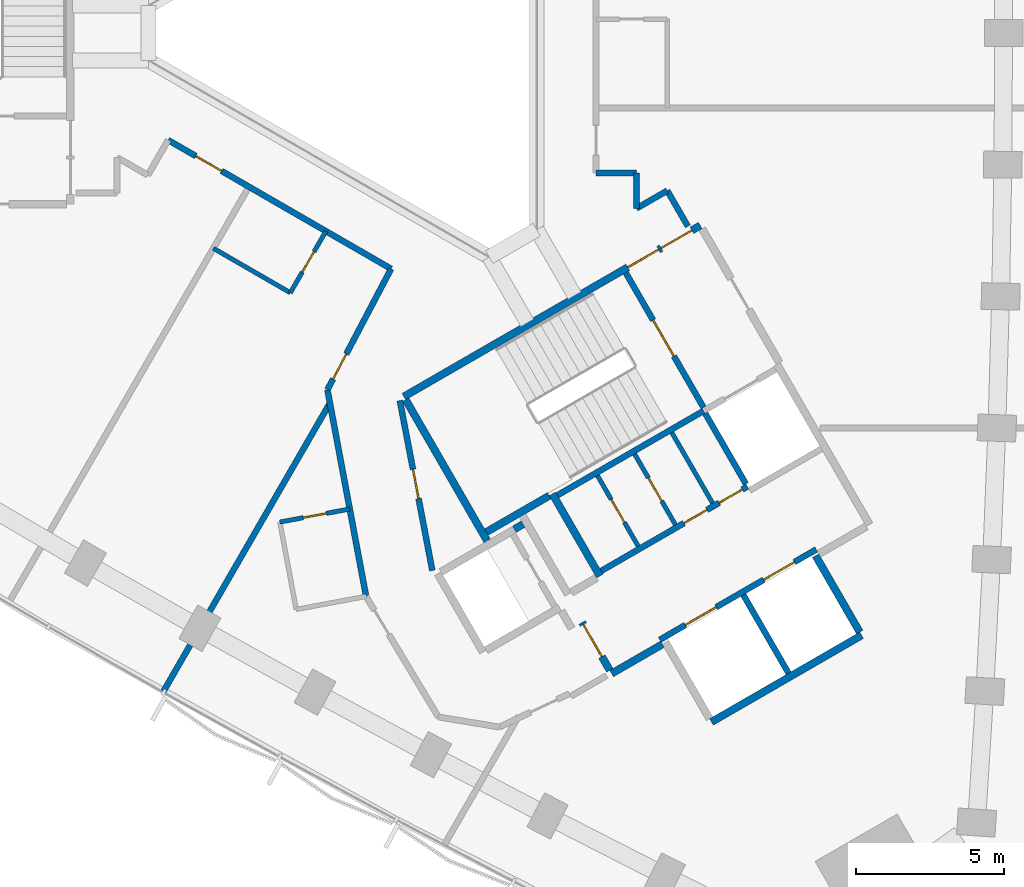
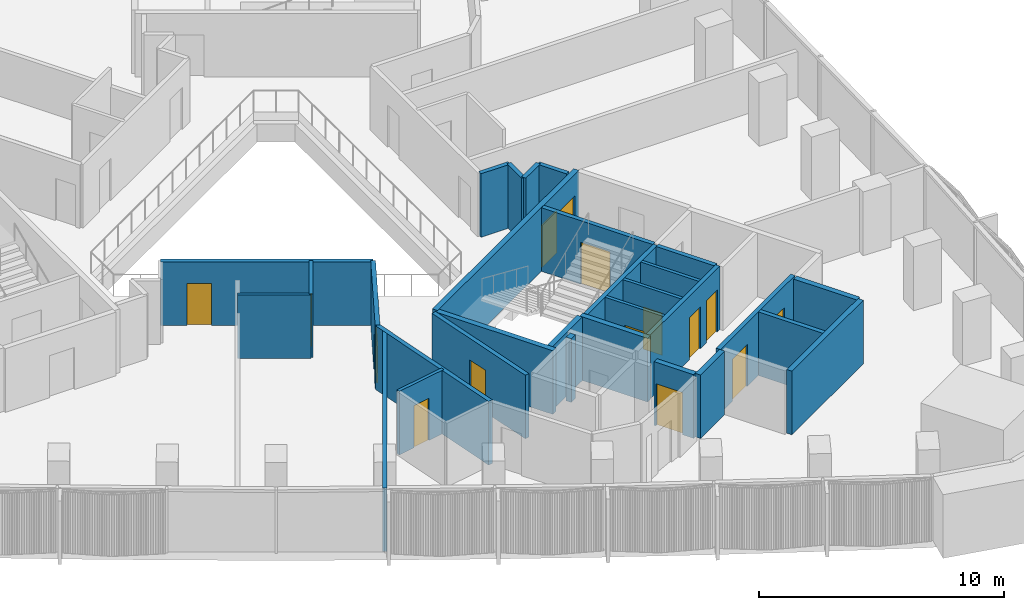
# One storey, part 8 of 15: 30 walls, 15 doors, 15 openings.
"""IFC4 building model written with IfcOpenShell, lengths in metres."""

from ifc_helpers import new_model, si_unit, direction, frame, frame_2d, origin, place, context, subcontext, project, spatial, rectangle, extrude, material, layer, layer_set, type_object, element, fill, save


model = new_model("IFC4")

# Units and contexts
model_context = context("Model", 3, precision=1e-05, world=origin(), true_north=direction((0.0, 1.0)))
body_context = subcontext(model_context, "Body", "Model", "MODEL_VIEW")
ifc_project = project(units=[si_unit("LENGTHUNIT", "METRE"), si_unit("AREAUNIT", "SQUARE_METRE"), si_unit("VOLUMEUNIT", "CUBIC_METRE"), si_unit("PLANEANGLEUNIT", "RADIAN"), si_unit("MASSUNIT", "GRAM", prefix="KILO")], contexts=[model_context])

# Site, building, storey
site_placement = place(None, origin())
site = spatial("IfcSite", under=ifc_project, at=site_placement, CompositionType="ELEMENT")
building_placement = place(site_placement, origin())
building = spatial("IfcBuilding", under=site, at=building_placement, Name="Tamra Quay Hotel Tower", CompositionType="ELEMENT")
storey_placement = place(building_placement, frame((0.0, 0.0, 97.39990234375)))
storey = spatial("IfcBuildingStorey", under=building, at=storey_placement, Name="L23", CompositionType="ELEMENT", Elevation=97.39990234375)

# Wall, openings, doors
ifc_material_1 = material(Name="Concrete M70", Category="concrete")
ifc_layer_1 = layer(ifc_material_1, 0.199951171875)
ifc_layer_set_1 = layer_set([ifc_layer_1], Name="Concrete M70 core wall 200")
wall_type_1 = type_object("IfcWallType", Name="Concrete M70 core wall 200", PredefinedType="SHEAR", material=ifc_layer_set_1)
wall_1_placement = place(storey_placement, frame((9.052490234375, -20.479736328125, 0.0), z_axis=(0.0, 0.0, 1.0), x_axis=(0.866030299012, 0.499991521122, 0.0)))
wall_1 = element("IfcWall", 1, at=wall_1_placement, inside=storey, type_object=wall_type_1, Name="CW2", PredefinedType="SHEAR", context=body_context, shape_type="SweptSolid", body=[
    extrude(rectangle(XDim=6.10009765625, YDim=0.199951171875, at=frame_2d((3.050048828125, 0.0))), origin(), (0.0, 0.0, 1.0), 3.175048828125),
])
opening_1_placement = place(wall_1_placement, frame((1.0, 0.0, 0.0)))
opening_1 = element("IfcOpeningElement", 2, at=opening_1_placement, cuts=wall_1, Name="Opening LD", PredefinedType="OPENING", context=body_context, shape_type="SweptSolid", body=[
    extrude(rectangle(XDim=1.199951171875, YDim=2.10009765625, at=frame_2d((0.60009765625, 1.050048828125))), frame((0.0, 0.10986328125, 0.0), z_axis=(0.0, -1.0, 0.0), x_axis=(1.0, 0.0, 0.0)), (0.0, 0.0, 1.0), 0.219970703125),
])
opening_2_placement = place(wall_1_placement, frame((4.05029296875, 0.0, 0.0)))
opening_2 = element("IfcOpeningElement", 3, at=opening_2_placement, cuts=wall_1, Name="Opening LD", PredefinedType="OPENING", context=body_context, shape_type="SweptSolid", body=[
    extrude(rectangle(XDim=1.199951171875, YDim=2.10009765625, at=frame_2d((0.60009765625, 1.050048828125))), frame((0.0, 0.10986328125, 0.0), z_axis=(0.0, -1.0, 0.0), x_axis=(1.0, 0.0, 0.0)), (0.0, 0.0, 1.0), 0.219970703125),
])
ifc_material_2 = material(Name="Landing door LD 1200 double door sliding")
door_type_1 = type_object("IfcDoorType", Name="Landing door LD 1200 double door sliding", OperationType="DOUBLE_DOOR_SLIDING", PredefinedType="DOOR", material=ifc_material_2)
door_1_placement = place(opening_1_placement, origin())
door_1 = element("IfcDoor", 4, at=door_1_placement, inside=storey, type_object=door_type_1, Name="LD", OperationType="DOUBLE_DOOR_SLIDING", OverallHeight=2.10009765625, OverallWidth=1.199951171875, PredefinedType="DOOR", context=body_context, shape_type="SweptSolid", body=[
    extrude(rectangle(XDim=1.199951171875, YDim=2.10009765625, at=frame_2d((0.60009765625, 1.050048828125))), frame((0.0, 0.02490234375, 0.0), z_axis=(0.0, -1.0, 0.0), x_axis=(1.0, 0.0, 0.0)), (0.0, 0.0, 1.0), 0.050048828125),
])
fill(opening_1, door_1)
door_2_placement = place(opening_2_placement, origin())
door_2 = element("IfcDoor", 5, at=door_2_placement, inside=storey, type_object=door_type_1, Name="LD", OperationType="DOUBLE_DOOR_SLIDING", OverallHeight=2.10009765625, OverallWidth=1.199951171875, PredefinedType="DOOR", context=body_context, shape_type="SweptSolid", body=[
    extrude(rectangle(XDim=1.199951171875, YDim=2.10009765625, at=frame_2d((0.60009765625, 1.050048828125))), frame((0.0, 0.02490234375, 0.0), z_axis=(0.0, -1.0, 0.0), x_axis=(1.0, 0.0, 0.0)), (0.0, 0.0, 1.0), 0.050048828125),
])
fill(opening_2, door_2)

# Wall
wall_2_placement = place(storey_placement, frame((10.537841796875, -12.751953125, 0.0), z_axis=(0.0, 0.0, 1.0), x_axis=(-0.866038630372, -0.499977090179, 0.0)))
element("IfcWall", 6, at=wall_2_placement, inside=storey, type_object=wall_type_1, Name="CW2", PredefinedType="SHEAR", context=body_context, shape_type="SweptSolid", body=[
    extrude(rectangle(XDim=5.698974609375, YDim=0.199951171875, at=frame_2d((2.849609375, 0.0))), origin(), (0.0, 0.0, 1.0), 3.175048828125),
])

# Wall, openings, doors
wall_3_placement = place(storey_placement, frame((7.0771484375, -18.156005859375, 0.0), z_axis=(0.0, 0.0, 1.0), x_axis=(0.866038630372, 0.499977090179, 0.0)))
wall_3 = element("IfcWall", 7, at=wall_3_placement, inside=storey, type_object=wall_type_1, Name="CW2", PredefinedType="SHEAR", context=body_context, shape_type="SweptSolid", body=[
    extrude(rectangle(XDim=5.698974609375, YDim=0.199951171875, at=frame_2d((2.849609375, 0.0))), origin(), (0.0, 0.0, 1.0), 3.175048828125),
])
opening_3_placement = place(wall_3_placement, frame((3.22412109375, 0.0, 0.0)))
opening_3 = element("IfcOpeningElement", 8, at=opening_3_placement, cuts=wall_3, Name="Opening D2", PredefinedType="OPENING", context=body_context, shape_type="SweptSolid", body=[
    extrude(rectangle(XDim=0.89990234375, YDim=2.10009765625, at=frame_2d((0.449951171875, 1.050048828125))), frame((0.0, 0.10986328125, 0.0), z_axis=(0.0, -1.0, 0.0), x_axis=(1.0, 0.0, 0.0)), (0.0, 0.0, 1.0), 0.219970703125),
])
opening_4_placement = place(wall_3_placement, frame((4.59912109375, 0.0, 0.0)))
opening_4 = element("IfcOpeningElement", 9, at=opening_4_placement, cuts=wall_3, Name="Opening D2", PredefinedType="OPENING", context=body_context, shape_type="SweptSolid", body=[
    extrude(rectangle(XDim=0.89990234375, YDim=2.10009765625, at=frame_2d((0.449951171875, 1.050048828125))), frame((0.0, 0.10986328125, 0.0), z_axis=(0.0, -1.0, 0.0), x_axis=(1.0, 0.0, 0.0)), (0.0, 0.0, 1.0), 0.219970703125),
])
ifc_material_3 = material(Name="Core door D2 900x2100 LH")
door_type_2 = type_object("IfcDoorType", Name="Core door D2 900x2100 LH", OperationType="NOTDEFINED", PredefinedType="DOOR", material=ifc_material_3)
door_3_placement = place(opening_4_placement, origin())
door_3 = element("IfcDoor", 10, at=door_3_placement, inside=storey, type_object=door_type_2, Name="D2", OperationType="SINGLE_SWING_LEFT", OverallHeight=2.10009765625, OverallWidth=0.89990234375, PredefinedType="DOOR", context=body_context, shape_type="SweptSolid", body=[
    extrude(rectangle(XDim=0.89990234375, YDim=2.10009765625, at=frame_2d((0.449951171875, 1.050048828125))), frame((0.0, 0.02490234375, 0.0), z_axis=(0.0, -1.0, 0.0), x_axis=(1.0, 0.0, 0.0)), (0.0, 0.0, 1.0), 0.050048828125),
])
fill(opening_4, door_3)
ifc_material_4 = material(Name="Core door D2 900x2100 RH")
door_type_3 = type_object("IfcDoorType", Name="Core door D2 900x2100 RH", OperationType="NOTDEFINED", PredefinedType="DOOR", material=ifc_material_4)
door_4_placement = place(opening_3_placement, origin())
door_4 = element("IfcDoor", 11, at=door_4_placement, inside=storey, type_object=door_type_3, Name="D2", OperationType="SINGLE_SWING_RIGHT", OverallHeight=2.10009765625, OverallWidth=0.89990234375, PredefinedType="DOOR", context=body_context, shape_type="SweptSolid", body=[
    extrude(rectangle(XDim=0.89990234375, YDim=2.10009765625, at=frame_2d((0.449951171875, 1.050048828125))), frame((0.0, 0.02490234375, 0.0), z_axis=(0.0, -1.0, 0.0), x_axis=(1.0, 0.0, 0.0)), (0.0, 0.0, 1.0), 0.050048828125),
])
fill(opening_3, door_4)

# Wall, opening, door
wall_4_placement = place(storey_placement, frame((7.906494140625, -8.094482421875, 0.0), z_axis=(0.0, 0.0, 1.0), x_axis=(0.500024287448, -0.866011380966, 0.0)))
wall_4 = element("IfcWall", 12, at=wall_4_placement, inside=storey, type_object=wall_type_1, Name="CW2", PredefinedType="SHEAR", context=body_context, shape_type="SweptSolid", body=[
    extrude(rectangle(XDim=5.251220703125, YDim=0.199951171875, at=frame_2d((2.62548828125, 0.0))), origin(), (0.0, 0.0, 1.0), 3.175048828125),
])
opening_5_placement = place(wall_4_placement, frame((1.84912109375, 0.0, 0.0)))
opening_5 = element("IfcOpeningElement", 13, at=opening_5_placement, cuts=wall_4, Name="Opening FD2", PredefinedType="OPENING", context=body_context, shape_type="SweptSolid", body=[
    extrude(rectangle(XDim=1.39990234375, YDim=2.10009765625, at=frame_2d((0.699951171875, 1.050048828125))), frame((0.0, 0.10986328125, 0.0), z_axis=(0.0, -1.0, 0.0), x_axis=(1.0, 0.0, 0.0)), (0.0, 0.0, 1.0), 0.219970703125),
])
ifc_material_5 = material(Name="Core door FD2 1400x2100 LH")
door_type_4 = type_object("IfcDoorType", Name="Core door FD2 1400x2100 LH", OperationType="NOTDEFINED", PredefinedType="DOOR", material=ifc_material_5)
door_5_placement = place(opening_5_placement, origin())
door_5 = element("IfcDoor", 14, at=door_5_placement, inside=storey, type_object=door_type_4, Name="FD2", OperationType="SINGLE_SWING_LEFT", OverallHeight=2.10009765625, OverallWidth=1.39990234375, PredefinedType="DOOR", context=body_context, shape_type="SweptSolid", body=[
    extrude(rectangle(XDim=1.39990234375, YDim=2.10009765625, at=frame_2d((0.699951171875, 1.050048828125))), frame((0.0, 0.02490234375, 0.0), z_axis=(0.0, -1.0, 0.0), x_axis=(1.0, 0.0, 0.0)), (0.0, 0.0, 1.0), 0.050048828125),
])
fill(opening_5, door_5)

# Walls
wall_5_placement = place(storey_placement, frame((11.87451171875, -18.967041015625, 0.0), z_axis=(0.0, 0.0, 1.0), x_axis=(0.49998131003, -0.866036194175, 0.0)))
element("IfcWall", 15, at=wall_5_placement, inside=storey, type_object=wall_type_1, Name="CW2", PredefinedType="SHEAR", context=body_context, shape_type="SweptSolid", body=[
    extrude(rectangle(XDim=3.0478515625, YDim=0.199951171875, at=frame_2d((1.52392578125, 0.0))), origin(), (0.0, 0.0, 1.0), 3.175048828125),
])
wall_6_placement = place(storey_placement, frame((11.962646484375, -15.219970703125, 0.0), z_axis=(0.0, 0.0, 1.0), x_axis=(-0.500034990121, 0.866005201286, 0.0)))
element("IfcWall", 16, at=wall_6_placement, inside=storey, type_object=wall_type_1, Name="CW2", PredefinedType="SHEAR", context=body_context, shape_type="SweptSolid", body=[
    extrude(rectangle(XDim=2.749755859375, YDim=0.199951171875, at=frame_2d((1.375, 0.0))), origin(), (0.0, 0.0, 1.0), 3.175048828125),
])

# Wall, openings, doors
ifc_layer_2 = layer(ifc_material_1, 0.25)
ifc_layer_set_2 = layer_set([ifc_layer_2], Name="Concrete M70 core wall 250")
wall_type_2 = type_object("IfcWallType", Name="Concrete M70 core wall 250", PredefinedType="SHEAR", material=ifc_layer_set_2)
wall_7_placement = place(storey_placement, frame((0.417236328125, -12.27294921875, 0.0), z_axis=(0.0, 0.0, 1.0), x_axis=(0.866021906294, 0.500006057782, 0.0)))
wall_7 = element("IfcWall", 17, at=wall_7_placement, inside=storey, type_object=wall_type_2, Name="CW1", PredefinedType="SHEAR", context=body_context, shape_type="SweptSolid", body=[
    extrude(rectangle(XDim=11.550048828125, YDim=0.25, at=frame_2d((5.77490234375, 0.0))), origin(), (0.0, 0.0, 1.0), 3.175048828125),
])
opening_6_placement = place(wall_7_placement, frame((10.024658203125, 0.0, 0.0)))
opening_6 = element("IfcOpeningElement", 18, at=opening_6_placement, cuts=wall_7, Name="Opening FD1", PredefinedType="OPENING", context=body_context, shape_type="SweptSolid", body=[
    extrude(rectangle(XDim=1.199951171875, YDim=2.10009765625, at=frame_2d((0.60009765625, 1.050048828125))), frame((0.0, 0.135009765625, 0.0), z_axis=(0.0, -1.0, 0.0), x_axis=(1.0, 0.0, 0.0)), (0.0, 0.0, 1.0), 0.27001953125),
])
opening_7_placement = place(wall_7_placement, frame((8.724609375, 0.0, 0.0)))
opening_7 = element("IfcOpeningElement", 19, at=opening_7_placement, cuts=wall_7, Name="Opening FD1", PredefinedType="OPENING", context=body_context, shape_type="SweptSolid", body=[
    extrude(rectangle(XDim=1.199951171875, YDim=2.10009765625, at=frame_2d((0.60009765625, 1.050048828125))), frame((0.0, 0.135009765625, 0.0), z_axis=(0.0, -1.0, 0.0), x_axis=(1.0, 0.0, 0.0)), (0.0, 0.0, 1.0), 0.27001953125),
])
ifc_material_6 = material(Name="Core door FD1 1200x2100 LH")
door_type_5 = type_object("IfcDoorType", Name="Core door FD1 1200x2100 LH", OperationType="NOTDEFINED", PredefinedType="DOOR", material=ifc_material_6)
door_6_placement = place(opening_6_placement, origin())
door_6 = element("IfcDoor", 20, at=door_6_placement, inside=storey, type_object=door_type_5, Name="FD1", OperationType="SINGLE_SWING_LEFT", OverallHeight=2.10009765625, OverallWidth=1.199951171875, PredefinedType="DOOR", context=body_context, shape_type="SweptSolid", body=[
    extrude(rectangle(XDim=1.199951171875, YDim=2.10009765625, at=frame_2d((0.60009765625, 1.050048828125))), frame((0.0, 0.02490234375, 0.0), z_axis=(0.0, -1.0, 0.0), x_axis=(1.0, 0.0, 0.0)), (0.0, 0.0, 1.0), 0.050048828125),
])
fill(opening_6, door_6)
ifc_material_7 = material(Name="Core door FD1 1200x2100 RH")
door_type_6 = type_object("IfcDoorType", Name="Core door FD1 1200x2100 RH", OperationType="NOTDEFINED", PredefinedType="DOOR", material=ifc_material_7)
door_7_placement = place(opening_7_placement, origin())
door_7 = element("IfcDoor", 21, at=door_7_placement, inside=storey, type_object=door_type_6, Name="FD1", OperationType="SINGLE_SWING_RIGHT", OverallHeight=2.10009765625, OverallWidth=1.199951171875, PredefinedType="DOOR", context=body_context, shape_type="SweptSolid", body=[
    extrude(rectangle(XDim=1.199951171875, YDim=2.10009765625, at=frame_2d((0.60009765625, 1.050048828125))), frame((0.0, 0.02490234375, 0.0), z_axis=(0.0, -1.0, 0.0), x_axis=(1.0, 0.0, 0.0)), (0.0, 0.0, 1.0), 0.050048828125),
])
fill(opening_7, door_7)

# Walls
wall_8_placement = place(storey_placement, frame((15.86474609375, -20.328369140625, 0.0), z_axis=(0.0, 0.0, 1.0), x_axis=(-0.86602852612, -0.499994591916, 0.0)))
element("IfcWall", 22, at=wall_8_placement, inside=storey, type_object=wall_type_2, Name="CW1", PredefinedType="SHEAR", context=body_context, shape_type="SweptSolid", body=[
    extrude(rectangle(XDim=5.85009765625, YDim=0.25, at=frame_2d((2.925048828125, 0.0))), origin(), (0.0, 0.0, 1.0), 3.175048828125),
])
wall_9_placement = place(storey_placement, frame((3.23486328125, -17.15283203125, 0.0), z_axis=(0.0, 0.0, 1.0), x_axis=(-0.500008851346, 0.866020293397, 0.0)))
element("IfcWall", 23, at=wall_9_placement, inside=storey, type_object=wall_type_2, Name="CW1", PredefinedType="SHEAR", context=body_context, shape_type="SweptSolid", body=[
    extrude(rectangle(XDim=5.509765625, YDim=0.25, at=frame_2d((2.7548828125, 0.0))), origin(), (0.0, 0.0, 1.0), 3.175048828125),
])
wall_10_placement = place(storey_placement, frame((7.030517578125, -18.327392578125, 0.0), z_axis=(0.0, 0.0, 1.0), x_axis=(-0.499971222258, 0.866042017984, 0.0)))
element("IfcWall", 24, at=wall_10_placement, inside=storey, type_object=wall_type_2, Name="CW1", PredefinedType="SHEAR", context=body_context, shape_type="SweptSolid", body=[
    extrude(rectangle(XDim=3.199951171875, YDim=0.25, at=frame_2d((1.60009765625, 0.0))), origin(), (0.0, 0.0, 1.0), 3.175048828125),
])
wall_11_placement = place(storey_placement, frame((14.314697265625, -17.643798828125, 0.0), z_axis=(0.0, 0.0, 1.0), x_axis=(0.500023226632, -0.866011993467, 0.0)))
element("IfcWall", 25, at=wall_11_placement, inside=storey, type_object=wall_type_2, Name="CW1", PredefinedType="SHEAR", context=body_context, shape_type="SweptSolid", body=[
    extrude(rectangle(XDim=2.974365234375, YDim=0.25, at=frame_2d((1.4873046875, 0.0))), origin(), (0.0, 0.0, 1.0), 3.175048828125),
])
wall_12_placement = place(storey_placement, frame((5.322021484375, -15.618896484375, 0.0), z_axis=(0.0, 0.0, 1.0), x_axis=(-0.866026229868, -0.499998569178, 0.0)))
element("IfcWall", 26, at=wall_12_placement, inside=storey, type_object=wall_type_2, Name="CW1", PredefinedType="SHEAR", context=body_context, shape_type="SweptSolid", body=[
    extrude(rectangle(XDim=2.44921875, YDim=0.25, at=frame_2d((1.224609375, 0.0))), origin(), (0.0, 0.0, 1.0), 3.175048828125),
])
wall_13_placement = place(storey_placement, frame((9.139892578125, -20.63134765625, 0.0), z_axis=(0.0, 0.0, 1.0), x_axis=(-0.866043531843, -0.499968599967, 0.0)))
element("IfcWall", 27, at=wall_13_placement, inside=storey, type_object=wall_type_2, Name="CW1", PredefinedType="SHEAR", context=body_context, shape_type="SweptSolid", body=[
    extrude(rectangle(XDim=1.974853515625, YDim=0.25, at=frame_2d((0.9873046875, 0.0))), origin(), (0.0, 0.0, 1.0), 3.175048828125),
])

# Wall, opening, door
wall_14_placement = place(storey_placement, frame((7.3671875, -21.51025390625, 0.0), z_axis=(0.0, 0.0, 1.0), x_axis=(-0.499983108224, 0.866035156036, 0.0)))
wall_14 = element("IfcWall", 28, at=wall_14_placement, inside=storey, type_object=wall_type_2, Name="CW1", PredefinedType="SHEAR", context=body_context, shape_type="SweptSolid", body=[
    extrude(rectangle(XDim=1.86474609375, YDim=0.25, at=frame_2d((0.932373046875, 0.0))), origin(), (0.0, 0.0, 1.0), 3.175048828125),
])
opening_8_placement = place(wall_14_placement, frame((0.53466796875, 0.0, 0.0)))
opening_8 = element("IfcOpeningElement", 29, at=opening_8_placement, cuts=wall_14, Name="Opening FD3", PredefinedType="OPENING", context=body_context, shape_type="SweptSolid", body=[
    extrude(rectangle(XDim=1.25, YDim=2.10009765625, at=frame_2d((0.625, 1.050048828125))), frame((0.0, 0.135009765625, 0.0), z_axis=(0.0, -1.0, 0.0), x_axis=(1.0, 0.0, 0.0)), (0.0, 0.0, 1.0), 0.27001953125),
])
ifc_material_8 = material(Name="Core door FD3 1250x2100 LH")
door_type_7 = type_object("IfcDoorType", Name="Core door FD3 1250x2100 LH", OperationType="NOTDEFINED", PredefinedType="DOOR", material=ifc_material_8)
door_8_placement = place(opening_8_placement, origin())
door_8 = element("IfcDoor", 30, at=door_8_placement, inside=storey, type_object=door_type_7, Name="FD3", OperationType="SINGLE_SWING_LEFT", OverallHeight=2.10009765625, OverallWidth=1.25, PredefinedType="DOOR", context=body_context, shape_type="SweptSolid", body=[
    extrude(rectangle(XDim=1.25, YDim=2.10009765625, at=frame_2d((0.625, 1.050048828125))), frame((0.0, 0.02490234375, 0.0), z_axis=(0.0, -1.0, 0.0), x_axis=(1.0, 0.0, 0.0)), (0.0, 0.0, 1.0), 0.050048828125),
])
fill(opening_8, door_8)

# Wall
wall_15_placement = place(storey_placement, frame((4.144775390625, -16.748779296875, 0.0), z_axis=(0.0, 0.0, 1.0), x_axis=(0.866185586049, 0.49972245349, 0.0)))
element("IfcWall", 31, at=wall_15_placement, inside=storey, type_object=wall_type_2, Name="CW1", PredefinedType="SHEAR", context=body_context, shape_type="SweptSolid", body=[
    extrude(rectangle(XDim=0.344482421875, YDim=0.25, at=frame_2d((0.17236328125, 0.0))), origin(), (0.0, 0.0, 1.0), 3.175048828125),
])

# Wall, opening, door
ifc_material_9 = material(Name="Blockwork", Category="masonry")
ifc_layer_3 = layer(ifc_material_9, 0.14990234375)
ifc_layer_set_3 = layer_set([ifc_layer_3], Name="Core partition block 150")
wall_type_3 = type_object("IfcWallType", Name="Core partition block 150", PredefinedType="PARTITIONING", material=ifc_layer_set_3)
wall_16_placement = place(storey_placement, frame((8.20654296875, -14.214111328125, 0.0), z_axis=(0.0, 0.0, 1.0), x_axis=(0.50002746344, -0.86600954718, 0.0)))
wall_16 = element("IfcWall", 32, at=wall_16_placement, inside=storey, type_object=wall_type_3, Name="CP1", PredefinedType="PARTITIONING", context=body_context, shape_type="SweptSolid", body=[
    extrude(rectangle(XDim=2.748291015625, YDim=0.14990234375, at=frame_2d((1.3740234375, 0.0))), origin(), (0.0, 0.0, 1.0), 3.175048828125),
])
opening_9_placement = place(wall_16_placement, frame((0.92431640625, 0.0, 0.0)))
opening_9 = element("IfcOpeningElement", 33, at=opening_9_placement, cuts=wall_16, Name="Opening D2", PredefinedType="OPENING", context=body_context, shape_type="SweptSolid", body=[
    extrude(rectangle(XDim=0.89990234375, YDim=2.10009765625, at=frame_2d((0.449951171875, 1.050048828125))), frame((0.0, 0.0849609375, 0.0), z_axis=(0.0, -1.0, 0.0), x_axis=(1.0, 0.0, 0.0)), (0.0, 0.0, 1.0), 0.169921875),
])
door_9_placement = place(opening_9_placement, origin())
door_9 = element("IfcDoor", 34, at=door_9_placement, inside=storey, type_object=door_type_2, Name="D2", OperationType="SINGLE_SWING_LEFT", OverallHeight=2.10009765625, OverallWidth=0.89990234375, PredefinedType="DOOR", context=body_context, shape_type="SweptSolid", body=[
    extrude(rectangle(XDim=0.89990234375, YDim=2.10009765625, at=frame_2d((0.449951171875, 1.050048828125))), frame((0.0, 0.02490234375, 0.0), z_axis=(0.0, -1.0, 0.0), x_axis=(1.0, 0.0, 0.0)), (0.0, 0.0, 1.0), 0.050048828125),
])
fill(opening_9, door_9)

# Wall
wall_17_placement = place(storey_placement, frame((9.46240234375, -13.489013671875, 0.0), z_axis=(0.0, 0.0, 1.0), x_axis=(0.499988999718, -0.866031754707, 0.0)))
element("IfcWall", 35, at=wall_17_placement, inside=storey, type_object=wall_type_3, Name="CP1", PredefinedType="PARTITIONING", context=body_context, shape_type="SweptSolid", body=[
    extrude(rectangle(XDim=2.74853515625, YDim=0.14990234375, at=frame_2d((1.374267578125, 0.0))), origin(), (0.0, 0.0, 1.0), 3.175048828125),
])

# Wall, opening, door
wall_18_placement = place(storey_placement, frame((6.950927734375, -14.93896484375, 0.0), z_axis=(0.0, 0.0, 1.0), x_axis=(0.499988999718, -0.866031754707, 0.0)))
wall_18 = element("IfcWall", 36, at=wall_18_placement, inside=storey, type_object=wall_type_3, Name="CP1", PredefinedType="PARTITIONING", context=body_context, shape_type="SweptSolid", body=[
    extrude(rectangle(XDim=2.74853515625, YDim=0.14990234375, at=frame_2d((1.374267578125, 0.0))), origin(), (0.0, 0.0, 1.0), 3.175048828125),
])
opening_10_placement = place(wall_18_placement, frame((0.92431640625, 0.0, 0.0)))
opening_10 = element("IfcOpeningElement", 37, at=opening_10_placement, cuts=wall_18, Name="Opening D2", PredefinedType="OPENING", context=body_context, shape_type="SweptSolid", body=[
    extrude(rectangle(XDim=0.89990234375, YDim=2.10009765625, at=frame_2d((0.449951171875, 1.050048828125))), frame((0.0, 0.0849609375, 0.0), z_axis=(0.0, -1.0, 0.0), x_axis=(1.0, 0.0, 0.0)), (0.0, 0.0, 1.0), 0.169921875),
])
door_10_placement = place(opening_10_placement, origin())
door_10 = element("IfcDoor", 38, at=door_10_placement, inside=storey, type_object=door_type_3, Name="D2", OperationType="SINGLE_SWING_RIGHT", OverallHeight=2.10009765625, OverallWidth=0.89990234375, PredefinedType="DOOR", context=body_context, shape_type="SweptSolid", body=[
    extrude(rectangle(XDim=0.89990234375, YDim=2.10009765625, at=frame_2d((0.449951171875, 1.050048828125))), frame((0.0, 0.02490234375, 0.0), z_axis=(0.0, -1.0, 0.0), x_axis=(1.0, 0.0, 0.0)), (0.0, 0.0, 1.0), 0.050048828125),
])
fill(opening_10, door_10)

ifc_material_10 = material(Name="Partition corridor wall")
ifc_layer_4 = layer(ifc_material_10, 0.199951171875)
ifc_layer_set_4 = layer_set([ifc_layer_4], Name="Partition corridor wall")
wall_type_4 = type_object("IfcWallType", Name="Partition corridor wall", PredefinedType="PARTITIONING", material=ifc_layer_set_4)
wall_19_placement = place(storey_placement, frame((-7.5390625, -3.614990234375, 0.0), z_axis=(0.0, 0.0, 1.0), x_axis=(0.866057854762, -0.499943789046, 0.0)))
wall_19 = element("IfcWall", 39, at=wall_19_placement, inside=storey, type_object=wall_type_4, Name="W-C", PredefinedType="PARTITIONING", context=body_context, shape_type="SweptSolid", body=[
    extrude(rectangle(XDim=8.68896484375, YDim=0.199951171875, at=frame_2d((4.344482421875, 0.0))), origin(), (0.0, 0.0, 1.0), 3.175048828125),
])
opening_11_placement = place(wall_19_placement, frame((1.080078125, 0.0, 0.0)))
opening_11 = element("IfcOpeningElement", 40, at=opening_11_placement, cuts=wall_19, Name="Opening L23-D013", PredefinedType="OPENING", context=body_context, shape_type="SweptSolid", body=[
    extrude(rectangle(XDim=1.0, YDim=2.10009765625, at=frame_2d((0.5, 1.050048828125))), frame((0.0, 0.10986328125, 0.0), z_axis=(0.0, -1.0, 0.0), x_axis=(1.0, 0.0, 0.0)), (0.0, 0.0, 1.0), 0.219970703125),
])
ifc_material_11 = material(Name="Door guest room 1000x2100")
door_type_8 = type_object("IfcDoorType", Name="Door guest room 1000x2100", OperationType="NOTDEFINED", PredefinedType="DOOR", material=ifc_material_11)
door_11_placement = place(opening_11_placement, frame((1.0, 0.0, 0.0), z_axis=(0.0, 0.0, 1.0), x_axis=(-1.0, 0.0, 0.0)))
door_11 = element("IfcDoor", 41, at=door_11_placement, inside=storey, type_object=door_type_8, Name="L23-D013", OperationType="SINGLE_SWING_LEFT", OverallHeight=2.10009765625, OverallWidth=1.0, PredefinedType="DOOR", context=body_context, shape_type="SweptSolid", body=[
    extrude(rectangle(XDim=1.0, YDim=2.10009765625, at=frame_2d((0.5, 1.050048828125))), frame((0.0, 0.02490234375, 0.0), z_axis=(0.0, -1.0, 0.0), x_axis=(1.0, 0.0, 0.0)), (0.0, 0.0, 1.0), 0.050048828125),
])
fill(opening_11, door_11)

# Wall
wall_20_placement = place(storey_placement, frame((-2.162109375, -12.0419921875, 0.0), z_axis=(0.0, 0.0, 1.0), x_axis=(0.183916574427, -0.982941856699, 0.0)))
element("IfcWall", 42, at=wall_20_placement, inside=storey, type_object=wall_type_4, Name="W-C", PredefinedType="PARTITIONING", context=body_context, shape_type="SweptSolid", body=[
    extrude(rectangle(XDim=7.093994140625, YDim=0.199951171875, at=frame_2d((3.546875, 0.0))), origin(), (0.0, 0.0, 1.0), 3.175048828125),
])

# Wall, opening, door
wall_21_placement = place(storey_placement, frame((-2.162109375, -12.041015625, 0.0), z_axis=(0.0, 0.0, 1.0), x_axis=(0.465704986205, 0.884940035157, 0.0)))
wall_21 = element("IfcWall", 43, at=wall_21_placement, inside=storey, type_object=wall_type_4, Name="W-C", PredefinedType="PARTITIONING", context=body_context, shape_type="SweptSolid", body=[
    extrude(rectangle(XDim=4.61279296875, YDim=0.199951171875, at=frame_2d((2.306396484375, 0.0))), origin(), (0.0, 0.0, 1.0), 3.175048828125),
])
opening_12_placement = place(wall_21_placement, frame((0.41259765625, 0.0, 0.0)))
opening_12 = element("IfcOpeningElement", 44, at=opening_12_placement, cuts=wall_21, Name="Opening L23-D014", PredefinedType="OPENING", context=body_context, shape_type="SweptSolid", body=[
    extrude(rectangle(XDim=0.949951171875, YDim=2.10009765625, at=frame_2d((0.47509765625, 1.050048828125))), frame((0.0, 0.10986328125, 0.0), z_axis=(0.0, -1.0, 0.0), x_axis=(1.0, 0.0, 0.0)), (0.0, 0.0, 1.0), 0.219970703125),
])
ifc_material_12 = material(Name="Door guest room 950x2100")
door_type_9 = type_object("IfcDoorType", Name="Door guest room 950x2100", OperationType="NOTDEFINED", PredefinedType="DOOR", material=ifc_material_12)
door_12_placement = place(opening_12_placement, origin())
door_12 = element("IfcDoor", 45, at=door_12_placement, inside=storey, type_object=door_type_9, Name="L23-D014", OperationType="SINGLE_SWING_LEFT", OverallHeight=2.10009765625, OverallWidth=0.949951171875, PredefinedType="DOOR", context=body_context, shape_type="SweptSolid", body=[
    extrude(rectangle(XDim=0.949951171875, YDim=2.10009765625, at=frame_2d((0.47509765625, 1.050048828125))), frame((0.0, 0.02490234375, 0.0), z_axis=(0.0, -1.0, 0.0), x_axis=(1.0, 0.0, 0.0)), (0.0, 0.0, 1.0), 0.050048828125),
])
fill(opening_12, door_12)

wall_22_placement = place(storey_placement, frame((0.28076171875, -12.40625, 0.0), z_axis=(0.0, 0.0, 1.0), x_axis=(0.187814940093, -0.982204433037, 0.0)))
wall_22 = element("IfcWall", 46, at=wall_22_placement, inside=storey, type_object=wall_type_4, Name="W-C", PredefinedType="PARTITIONING", context=body_context, shape_type="SweptSolid", body=[
    extrude(rectangle(XDim=5.841796875, YDim=0.199951171875, at=frame_2d((2.9208984375, 0.0))), origin(), (0.0, 0.0, 1.0), 3.175048828125),
])
opening_13_placement = place(wall_22_placement, frame((2.36328125, 0.0, 0.0)))
opening_13 = element("IfcOpeningElement", 47, at=opening_13_placement, cuts=wall_22, Name="Opening L23-D016", PredefinedType="OPENING", context=body_context, shape_type="SweptSolid", body=[
    extrude(rectangle(XDim=1.0, YDim=2.10009765625, at=frame_2d((0.5, 1.050048828125))), frame((0.0, 0.10986328125, 0.0), z_axis=(0.0, -1.0, 0.0), x_axis=(1.0, 0.0, 0.0)), (0.0, 0.0, 1.0), 0.219970703125),
])
door_13_placement = place(opening_13_placement, origin())
door_13 = element("IfcDoor", 48, at=door_13_placement, inside=storey, type_object=door_type_8, Name="L23-D016", OperationType="SINGLE_SWING_LEFT", OverallHeight=2.10009765625, OverallWidth=1.0, PredefinedType="DOOR", context=body_context, shape_type="SweptSolid", body=[
    extrude(rectangle(XDim=1.0, YDim=2.10009765625, at=frame_2d((0.5, 1.050048828125))), frame((0.0, 0.02490234375, 0.0), z_axis=(0.0, -1.0, 0.0), x_axis=(1.0, 0.0, 0.0)), (0.0, 0.0, 1.0), 0.050048828125),
])
fill(opening_13, door_13)

# Walls
wall_23_placement = place(storey_placement, frame((6.89990234375, -4.720947265625, 0.0), z_axis=(0.0, 0.0, 1.0), x_axis=(1.0, 0.0, 0.0)))
element("IfcWall", 49, at=wall_23_placement, inside=storey, type_object=wall_type_4, Name="W-C", PredefinedType="PARTITIONING", context=body_context, shape_type="SweptSolid", body=[
    extrude(rectangle(XDim=1.3681640625, YDim=0.199951171875, at=frame_2d((0.68408203125, 0.0))), origin(), (0.0, 0.0, 1.0), 3.175048828125),
])
wall_24_placement = place(storey_placement, frame((8.26806640625, -5.9208984375, 0.0), z_axis=(0.0, 0.0, 1.0), x_axis=(0.0, 1.0, 0.0)))
element("IfcWall", 50, at=wall_24_placement, inside=storey, type_object=wall_type_4, Name="W-C", PredefinedType="PARTITIONING", context=body_context, shape_type="SweptSolid", body=[
    extrude(rectangle(XDim=1.199951171875, YDim=0.199951171875, at=frame_2d((0.60009765625, 0.0))), origin(), (0.0, 0.0, 1.0), 3.175048828125),
])
wall_25_placement = place(storey_placement, frame((8.26806640625, -5.9208984375, 0.0), z_axis=(0.0, 0.0, 1.0), x_axis=(0.866344856625, 0.499446282797, 0.0)))
element("IfcWall", 51, at=wall_25_placement, inside=storey, type_object=wall_type_4, Name="W-C", PredefinedType="PARTITIONING", context=body_context, shape_type="SweptSolid", body=[
    extrude(rectangle(XDim=1.198974609375, YDim=0.199951171875, at=frame_2d((0.599609375, 0.0))), origin(), (0.0, 0.0, 1.0), 3.175048828125),
])
wall_26_placement = place(storey_placement, frame((9.306884765625, -5.322021484375, 0.0), z_axis=(0.0, 0.0, 1.0), x_axis=(0.500295157811, -0.865854927266, 0.0)))
element("IfcWall", 52, at=wall_26_placement, inside=storey, type_object=wall_type_4, Name="W-C", PredefinedType="PARTITIONING", context=body_context, shape_type="SweptSolid", body=[
    extrude(rectangle(XDim=1.389892578125, YDim=0.199951171875, at=frame_2d((0.69482421875, 0.0))), origin(), (0.0, 0.0, 1.0), 3.175048828125),
])
ifc_material_13 = material(Name="Partition en-suite wall")
ifc_layer_5 = layer(ifc_material_13, 0.14990234375)
ifc_layer_set_5 = layer_set([ifc_layer_5], Name="Partition en-suite wall")
wall_type_5 = type_object("IfcWallType", Name="Partition en-suite wall", PredefinedType="PARTITIONING", material=ifc_layer_set_5)
wall_27_placement = place(storey_placement, frame((-6.011962890625, -7.26708984375, 0.0), z_axis=(0.0, 0.0, 1.0), x_axis=(0.866010750942, -0.50002537861, 0.0)))
element("IfcWall", 53, at=wall_27_placement, inside=storey, type_object=wall_type_5, Name="W-E", PredefinedType="PARTITIONING", context=body_context, shape_type="SweptSolid", body=[
    extrude(rectangle(XDim=2.999755859375, YDim=0.14990234375, at=frame_2d((1.5, 0.0))), origin(), (0.0, 0.0, 1.0), 3.175048828125),
])

# Wall, opening, door
wall_28_placement = place(storey_placement, frame((-3.76806640625, -16.507080078125, 0.0), z_axis=(0.0, 0.0, 1.0), x_axis=(0.982960745934, 0.183815592249, 0.0)))
wall_28 = element("IfcWall", 54, at=wall_28_placement, inside=storey, type_object=wall_type_5, Name="W-E", PredefinedType="PARTITIONING", context=body_context, shape_type="SweptSolid", body=[
    extrude(rectangle(XDim=2.400146484375, YDim=0.14990234375, at=frame_2d((1.2001953125, 0.0))), origin(), (0.0, 0.0, 1.0), 3.175048828125),
])
opening_14_placement = place(wall_28_placement, frame((0.799560546875, 0.0, 0.0)))
opening_14 = element("IfcOpeningElement", 55, at=opening_14_placement, cuts=wall_28, Name="Opening L23-D018", PredefinedType="OPENING", context=body_context, shape_type="SweptSolid", body=[
    extrude(rectangle(XDim=0.800048828125, YDim=2.10009765625, at=frame_2d((0.39990234375, 1.050048828125))), frame((0.0, 0.0849609375, 0.0), z_axis=(0.0, -1.0, 0.0), x_axis=(1.0, 0.0, 0.0)), (0.0, 0.0, 1.0), 0.169921875),
])
ifc_material_14 = material(Name="Door en-suite 800x2100")
door_type_10 = type_object("IfcDoorType", Name="Door en-suite 800x2100", OperationType="NOTDEFINED", PredefinedType="DOOR", material=ifc_material_14)
door_14_placement = place(opening_14_placement, frame((0.800048828125, 0.0, 0.0), z_axis=(0.0, 0.0, 1.0), x_axis=(-1.0, 0.0, 0.0)))
door_14 = element("IfcDoor", 56, at=door_14_placement, inside=storey, type_object=door_type_10, Name="L23-D018", OperationType="SINGLE_SWING_LEFT", OverallHeight=2.10009765625, OverallWidth=0.800048828125, PredefinedType="DOOR", context=body_context, shape_type="SweptSolid", body=[
    extrude(rectangle(XDim=0.800048828125, YDim=2.10009765625, at=frame_2d((0.39990234375, 1.050048828125))), frame((0.0, 0.02490234375, 0.0), z_axis=(0.0, -1.0, 0.0), x_axis=(1.0, 0.0, 0.0)), (0.0, 0.0, 1.0), 0.050048828125),
])
fill(opening_14, door_14)

wall_29_placement = place(storey_placement, frame((-3.4140625, -8.76708984375, 0.0), z_axis=(0.0, 0.0, 1.0), x_axis=(0.500045362686, 0.865999212041, 0.0)))
wall_29 = element("IfcWall", 57, at=wall_29_placement, inside=storey, type_object=wall_type_5, Name="W-E", PredefinedType="PARTITIONING", context=body_context, shape_type="SweptSolid", body=[
    extrude(rectangle(XDim=2.399658203125, YDim=0.14990234375, at=frame_2d((1.19970703125, 0.0))), origin(), (0.0, 0.0, 1.0), 3.175048828125),
])
opening_15_placement = place(wall_29_placement, frame((0.7998046875, 0.0, 0.0)))
opening_15 = element("IfcOpeningElement", 58, at=opening_15_placement, cuts=wall_29, Name="Opening L23-D015", PredefinedType="OPENING", context=body_context, shape_type="SweptSolid", body=[
    extrude(rectangle(XDim=0.800048828125, YDim=2.10009765625, at=frame_2d((0.39990234375, 1.050048828125))), frame((0.0, 0.0849609375, 0.0), z_axis=(0.0, -1.0, 0.0), x_axis=(1.0, 0.0, 0.0)), (0.0, 0.0, 1.0), 0.169921875),
])
door_15_placement = place(opening_15_placement, frame((0.800048828125, 0.0, 0.0), z_axis=(0.0, 0.0, 1.0), x_axis=(-1.0, 0.0, 0.0)))
door_15 = element("IfcDoor", 59, at=door_15_placement, inside=storey, type_object=door_type_10, Name="L23-D015", OperationType="SINGLE_SWING_LEFT", OverallHeight=2.10009765625, OverallWidth=0.800048828125, PredefinedType="DOOR", context=body_context, shape_type="SweptSolid", body=[
    extrude(rectangle(XDim=0.800048828125, YDim=2.10009765625, at=frame_2d((0.39990234375, 1.050048828125))), frame((0.0, 0.02490234375, 0.0), z_axis=(0.0, -1.0, 0.0), x_axis=(1.0, 0.0, 0.0)), (0.0, 0.0, 1.0), 0.050048828125),
])
fill(opening_15, door_15)

# Wall
ifc_material_15 = material(Name="Partition party wall")
ifc_layer_6 = layer(ifc_material_15, 0.199951171875)
ifc_layer_set_6 = layer_set([ifc_layer_6], Name="Partition party wall")
wall_type_6 = type_object("IfcWallType", Name="Partition party wall", PredefinedType="PARTITIONING", material=ifc_layer_set_6)
wall_30_placement = place(storey_placement, frame((-7.707763671875, -22.240234375, 0.0), z_axis=(0.0, 0.0, 1.0), x_axis=(0.500000860229, 0.86602490713, 0.0)))
element("IfcWall", 60, at=wall_30_placement, inside=storey, type_object=wall_type_6, Name="W-P", PredefinedType="PARTITIONING", context=body_context, shape_type="SweptSolid", body=[
    extrude(rectangle(XDim=11.259765625, YDim=0.199951171875, at=frame_2d((5.6298828125, 0.0))), origin(), (0.0, 0.0, 1.0), 3.175048828125),
])

save(model, "model.ifc")
